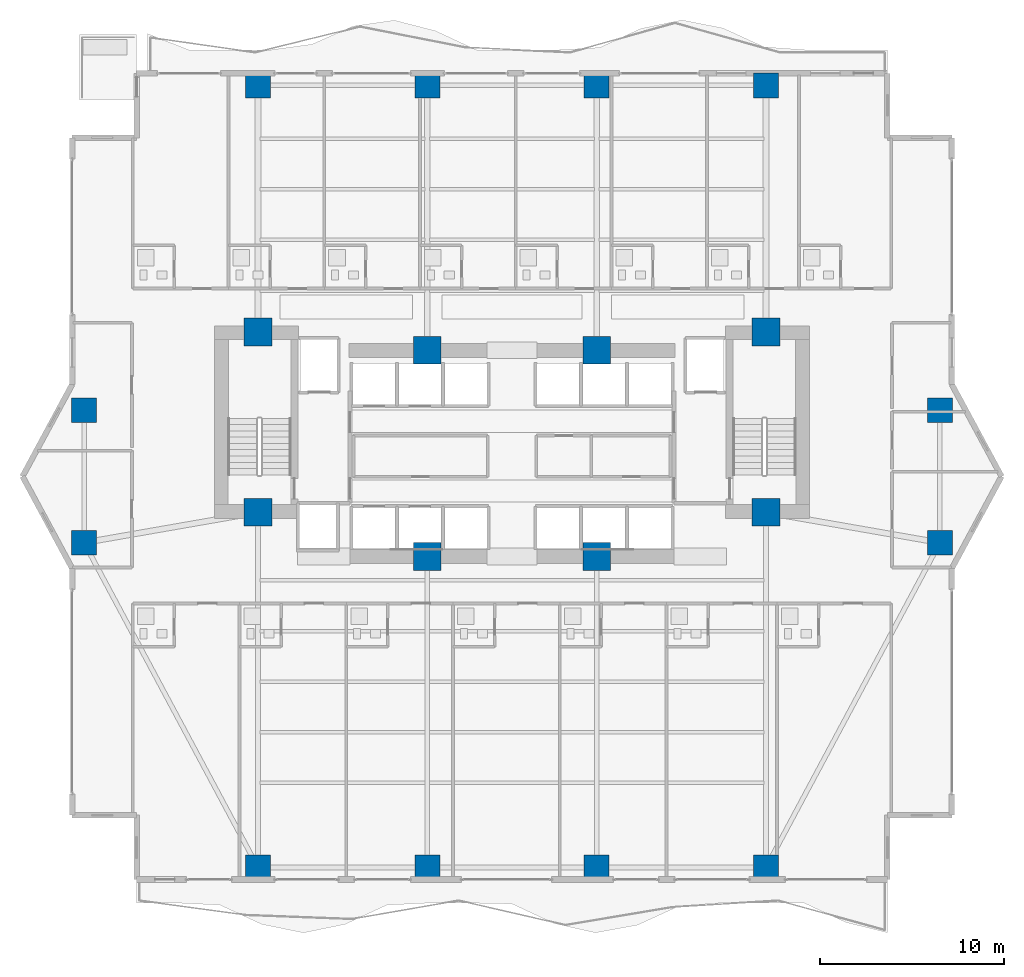
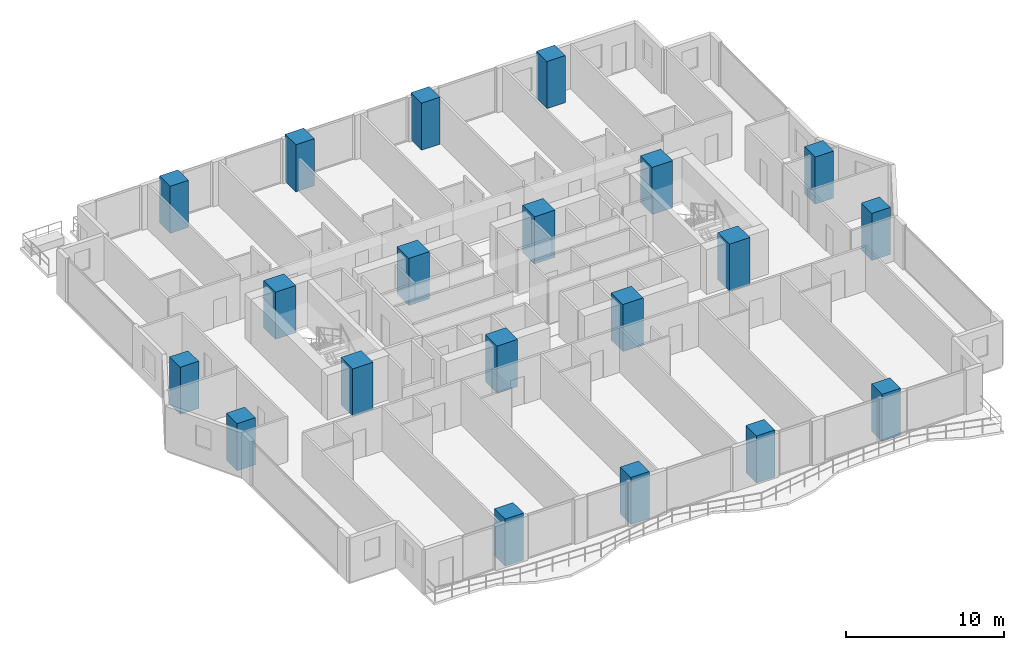
# One storey, part 1 of 29: 20 columns.
"""IFC4 building model written with IfcOpenShell, lengths in metres."""

from ifc_helpers import new_model, si_unit, direction, frame, origin, origin_2d, place, context, subcontext, project, spatial, rectangle, extrude, material, material_profile, profile_set, type_object, element, save


model = new_model("IFC4")

# Units and contexts
model_context = context("Model", 3, precision=1e-05, world=origin(), true_north=direction((0.0, 1.0)))
body_context = subcontext(model_context, "Body", "Model", "MODEL_VIEW")
ifc_project = project(units=[si_unit("LENGTHUNIT", "METRE"), si_unit("AREAUNIT", "SQUARE_METRE"), si_unit("VOLUMEUNIT", "CUBIC_METRE"), si_unit("PLANEANGLEUNIT", "RADIAN"), si_unit("MASSUNIT", "GRAM", prefix="KILO")], contexts=[model_context])

# Site, building, storey
site_placement = place(None, origin())
site = spatial("IfcSite", under=ifc_project, at=site_placement, CompositionType="ELEMENT")
building_placement = place(site_placement, origin())
building = spatial("IfcBuilding", under=site, at=building_placement, Name="Zuhayl Quay Hotel", CompositionType="ELEMENT")
storey_placement = place(building_placement, frame((0.0, 0.0, 150.39990234375)))
storey = spatial("IfcBuildingStorey", under=building, at=storey_placement, Name="L38", CompositionType="ELEMENT", Elevation=150.39990234375)

# Columns
ifc_material = material(Name="Concrete C70/85", Category="concrete")
ifc_material_profile_1 = material_profile(ifc_material, rectangle(XDim=1.5, YDim=1.5, at=origin_2d()), Name="RC1500X1500")
ifc_profile_set_1 = profile_set([ifc_material_profile_1], Name="Concrete C70/85")
column_type_1 = type_object("IfcColumnType", Name="CL_CC1_1500", PredefinedType="COLUMN", material=ifc_profile_set_1)
for number, where, z_axis, x_axis, name in (
    (1, (-13.800048828125, 14.35009765625, 0.0), (0.0, 0.0, 1.0), (1.0, 0.0, 0.0), "L38 Core Column CC_NW"),
    (2, (-4.60009765625, 13.35009765625, 0.0), (0.0, 0.0, 1.0), (1.0, 0.0, 0.0), "L38 Core Column CC_CNW"),
    (3, (4.60009765625, 13.35009765625, 0.0), (0.0, 0.0, 1.0), (1.0, 0.0, 0.0), "L38 Core Column CC_CNE"),
    (4, (13.800048828125, 14.35009765625, 0.0), (0.0, 0.0, 1.0), (1.0, 0.0, 0.0), "L38 Core Column CC_NE"),
    (5, (-13.800048828125, 4.550048828125, 0.0), (0.0, 0.0, 1.0), (1.0, 0.0, 0.0), "L38 Core Column CC_SW"),
    (6, (-4.60009765625, 2.14990234375, 0.0), (0.0, 0.0, 1.0), (1.0, 0.0, 0.0), "L38 Core Column CC_CSW"),
    (7, (4.60009765625, 2.14990234375, 0.0), (0.0, 0.0, 1.0), (1.0, 0.0, 0.0), "L38 Core Column CC_CSE"),
    (8, (13.800048828125, 4.550048828125, 0.0), (0.0, 0.0, 1.0), (1.0, 0.0, 0.0), "L38 Core Column CC_SE"),
):
    element("IfcColumn", number, at=place(storey_placement, frame(where, z_axis=z_axis, x_axis=x_axis)), inside=storey, type_object=column_type_1, Name=name, PredefinedType="COLUMN", context=body_context, shape_type="SweptSolid", body=[
        extrude(rectangle(XDim=1.5, YDim=1.5, at=origin_2d()), origin(), (0.0, 0.0, 1.0), 3.650146484375),
    ])
ifc_material_profile_2 = material_profile(ifc_material, rectangle(XDim=1.35009765625, YDim=1.35009765625, at=origin_2d()), Name="RC1350X1350")
ifc_profile_set_2 = profile_set([ifc_material_profile_2], Name="Concrete C70/85")
column_type_2 = type_object("IfcColumnType", Name="CL_MC2_1350", PredefinedType="COLUMN", material=ifc_profile_set_2)
for number, where, z_axis, x_axis, name in (
    (9, (-13.800048828125, -14.75, 0.0), (0.0, 0.0, 1.0), (1.0, 0.0, 0.0), "L38 Mega-Column MC_S1"),
    (10, (-4.60009765625, -14.75, 0.0), (0.0, 0.0, 1.0), (1.0, 0.0, 0.0), "L38 Mega-Column MC_S2"),
    (11, (4.60009765625, -14.75, 0.0), (0.0, 0.0, 1.0), (1.0, 0.0, 0.0), "L38 Mega-Column MC_S3"),
    (12, (13.800048828125, -14.75, 0.0), (0.0, 0.0, 1.0), (1.0, 0.0, 0.0), "L38 Mega-Column MC_S4"),
    (13, (-13.800048828125, 27.75, 0.0), (0.0, 0.0, 1.0), (1.0, 0.0, 0.0), "L38 Mega-Column MC_N1"),
    (14, (-4.60009765625, 27.75, 0.0), (0.0, 0.0, 1.0), (1.0, 0.0, 0.0), "L38 Mega-Column MC_N2"),
    (15, (4.60009765625, 27.75, 0.0), (0.0, 0.0, 1.0), (1.0, 0.0, 0.0), "L38 Mega-Column MC_N3"),
    (16, (13.800048828125, 27.75, 0.0), (0.0, 0.0, 1.0), (1.0, 0.0, 0.0), "L38 Mega-Column MC_N4"),
    (17, (-23.25, 2.89990234375, 0.0), (0.0, 0.0, 1.0), (1.0, 0.0, 0.0), "L38 Mega-Column MC_W1"),
    (18, (-23.25, 10.10009765625, 0.0), (0.0, 0.0, 1.0), (1.0, 0.0, 0.0), "L38 Mega-Column MC_W2"),
    (19, (23.25, 2.89990234375, 0.0), (0.0, 0.0, 1.0), (1.0, 0.0, 0.0), "L38 Mega-Column MC_E1"),
    (20, (23.25, 10.10009765625, 0.0), (0.0, 0.0, 1.0), (1.0, 0.0, 0.0), "L38 Mega-Column MC_E2"),
):
    element("IfcColumn", number, at=place(storey_placement, frame(where, z_axis=z_axis, x_axis=x_axis)), inside=storey, type_object=column_type_2, Name=name, PredefinedType="COLUMN", context=body_context, shape_type="SweptSolid", body=[
        extrude(rectangle(XDim=1.35009765625, YDim=1.35009765625, at=origin_2d()), origin(), (0.0, 0.0, 1.0), 3.650146484375),
    ])

save(model, "model.ifc")
